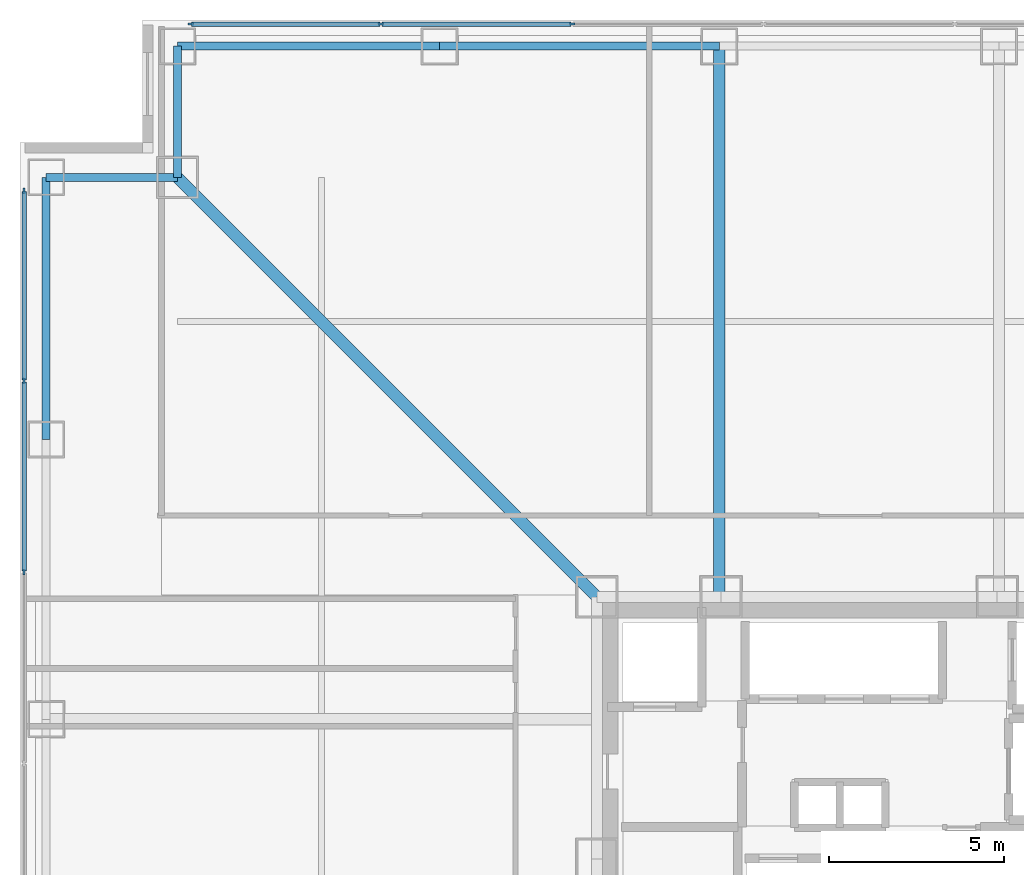
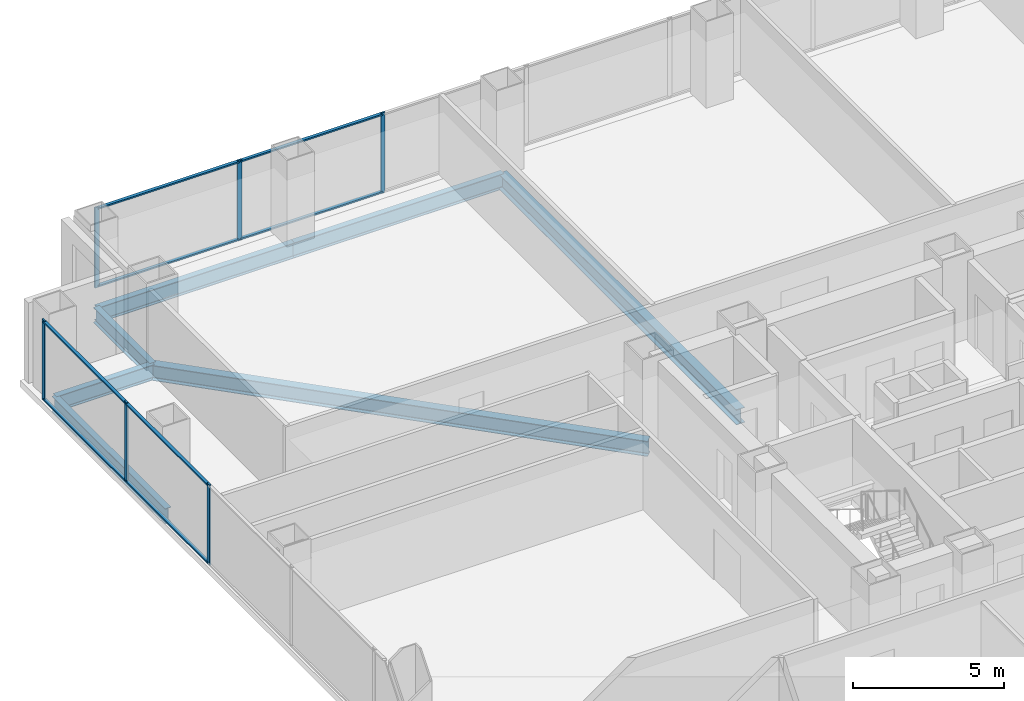
# One storey, part 11 of 19: 14 members, 7 beams, 2 elements without a shape of their own.
"""IFC4 building model written with IfcOpenShell, lengths in metres."""

from ifc_helpers import new_model, si_unit, direction, frame, origin, origin_2d, place, context, subcontext, project, spatial, rectangle, i_section, extrude, material, layer, layer_set, material_profile, profile_set, type_object, element, aggregate, save


model = new_model("IFC4")

# Units and contexts
model_context = context("Model", 3, precision=1e-05, world=origin(), true_north=direction((0.0, 1.0)))
body_context = subcontext(model_context, "Body", "Model", "MODEL_VIEW")
ifc_project = project(units=[si_unit("LENGTHUNIT", "METRE"), si_unit("AREAUNIT", "SQUARE_METRE"), si_unit("VOLUMEUNIT", "CUBIC_METRE"), si_unit("PLANEANGLEUNIT", "RADIAN"), si_unit("MASSUNIT", "GRAM", prefix="KILO")], contexts=[model_context])

# Site, building, storey
site_placement = place(None, origin())
site = spatial("IfcSite", under=ifc_project, at=site_placement, CompositionType="ELEMENT")
building_placement = place(site_placement, origin())
building = spatial("IfcBuilding", under=site, at=building_placement, Name="Trevonay Congress Spire", CompositionType="ELEMENT")
storey_placement = place(building_placement, frame((0.0, 0.0, 41.0)))
storey = spatial("IfcBuildingStorey", under=building, at=storey_placement, Name="L09", CompositionType="ELEMENT", Elevation=41.0)

# Beams
ifc_material_1 = material(Name="Steel ASTM A572 Grade 50", Category="steel")
ifc_material_profile_1 = material_profile(ifc_material_1, i_section(OverallWidth=0.324951171875, OverallDepth=0.615966796875, WebThickness=0.013916015625, FlangeThickness=0.021484375, FilletRadius=0.01806640625, at=origin_2d()), Name="W610x174")
ifc_profile_set_1 = profile_set([ifc_material_profile_1], Name="Steel ASTM A572 Grade 50")
beam_type_1 = type_object("IfcBeamType", Name="BM-GIRD-W610X174", PredefinedType="BEAM", material=ifc_profile_set_1)
beam_1_placement = place(storey_placement, frame((-7.5, 7.5, -0.55810546875), z_axis=(-0.707106781187, 0.707106781187, 0.0), x_axis=(-0.707106781187, -0.707106781187, 0.0)))
element("IfcBeam", 1, at=beam_1_placement, inside=storey, type_object=beam_type_1, Name="L09 structural beam BM-L09-CDNW", PredefinedType="BEAM", context=body_context, shape_type="SweptSolid", body=[
    extrude(i_section(OverallWidth=0.324951171875, OverallDepth=0.615966796875, WebThickness=0.013916015625, FlangeThickness=0.021484375, FilletRadius=0.01806640625, at=origin_2d()), origin(), (0.0, 0.0, 1.0), 16.970458984375),
])
beam_2_placement = place(storey_placement, frame((-4.0, 7.5, -0.55810546875), z_axis=(0.0, 1.0, 0.0), x_axis=(-1.0, 0.0, 0.0)))
element("IfcBeam", 2, at=beam_2_placement, inside=storey, type_object=beam_type_1, Name="L09 structural beam BM-L09-GN-M", PredefinedType="BEAM", context=body_context, shape_type="SweptSolid", body=[
    extrude(i_section(OverallWidth=0.324951171875, OverallDepth=0.615966796875, WebThickness=0.013916015625, FlangeThickness=0.021484375, FilletRadius=0.01806640625, at=origin_2d()), origin(), (0.0, 0.0, 1.0), 15.75),
])
ifc_material_profile_2 = material_profile(ifc_material_1, i_section(OverallWidth=0.22998046875, OverallDepth=0.616943359375, WebThickness=0.01318359375, FlangeThickness=0.022216796875, FilletRadius=0.01611328125, at=origin_2d()), Name="W610x140")
ifc_profile_set_2 = profile_set([ifc_material_profile_2], Name="Steel ASTM A572 Grade 50")
beam_type_2 = type_object("IfcBeamType", Name="BM-RING-W610X140", PredefinedType="BEAM", material=ifc_profile_set_2)
beam_3_placement = place(storey_placement, frame((-19.5, 23.25, -0.55859375), z_axis=(1.0, 0.0, 0.0), x_axis=(0.0, 1.0, 0.0)))
element("IfcBeam", 3, at=beam_3_placement, inside=storey, type_object=beam_type_2, Name="L09 structural beam BM-L09-PN1", PredefinedType="BEAM", context=body_context, shape_type="SweptSolid", body=[
    extrude(i_section(OverallWidth=0.22998046875, OverallDepth=0.616943359375, WebThickness=0.01318359375, FlangeThickness=0.022216796875, FilletRadius=0.01611328125, at=origin_2d()), origin(), (0.0, 0.0, 1.0), 7.5),
])
beam_4_placement = place(storey_placement, frame((-12.0, 23.25, -0.55859375), z_axis=(1.0, 0.0, 0.0), x_axis=(0.0, 1.0, 0.0)))
element("IfcBeam", 4, at=beam_4_placement, inside=storey, type_object=beam_type_2, Name="L09 structural beam BM-L09-PN2", PredefinedType="BEAM", context=body_context, shape_type="SweptSolid", body=[
    extrude(i_section(OverallWidth=0.22998046875, OverallDepth=0.616943359375, WebThickness=0.01318359375, FlangeThickness=0.022216796875, FilletRadius=0.01611328125, at=origin_2d()), origin(), (0.0, 0.0, 1.0), 8.0),
])
beam_5_placement = place(storey_placement, frame((-23.25, 12.0, -0.55859375), z_axis=(0.0, 1.0, 0.0), x_axis=(-1.0, 0.0, 0.0)))
element("IfcBeam", 5, at=beam_5_placement, inside=storey, type_object=beam_type_2, Name="L09 structural beam BM-L09-PW5", PredefinedType="BEAM", context=body_context, shape_type="SweptSolid", body=[
    extrude(i_section(OverallWidth=0.22998046875, OverallDepth=0.616943359375, WebThickness=0.01318359375, FlangeThickness=0.022216796875, FilletRadius=0.01611328125, at=origin_2d()), origin(), (0.0, 0.0, 1.0), 7.5),
])
for number, where, z_axis, x_axis, name in (
    (6, (-19.5, 23.25, -0.55859375), (0.0, -1.0, 0.0), (1.0, 0.0, 0.0), "L09 structural beam BM-L09-N1NW"),
    (7, (-23.25, 19.5, -0.55859375), (1.0, 0.0, 0.0), (0.0, 1.0, 0.0), "L09 structural beam BM-L09-N2NW"),
):
    element("IfcBeam", number, at=place(storey_placement, frame(where, z_axis=z_axis, x_axis=x_axis)), inside=storey, type_object=beam_type_2, Name=name, PredefinedType="BEAM", context=body_context, shape_type="SweptSolid", body=[
        extrude(i_section(OverallWidth=0.22998046875, OverallDepth=0.616943359375, WebThickness=0.01318359375, FlangeThickness=0.022216796875, FilletRadius=0.01611328125, at=origin_2d()), origin(), (0.0, 0.0, 1.0), 3.75),
    ])

# Curtain wall, members
ifc_material_2 = material(Name="Pale Anodised Aluminium EN AW-6063-T6", Category="aluminium")
ifc_layer = layer(ifc_material_2, 0.179931640625, Name="Pale Anodised Aluminium EN AW-6063-T6")
ifc_layer_set = layer_set([ifc_layer], Name="Pale Anodised Aluminium EN AW-6063-T6")
curtain_wall_type = type_object("IfcCurtainWallType", Name="CW-SYS02-HOTEL-PALE-METAL", PredefinedType="NOTDEFINED", material=ifc_layer_set)
curtain_wall_1_placement = place(storey_placement, origin())
curtain_wall_1 = element("IfcCurtainWall", 8, at=curtain_wall_1_placement, inside=storey, type_object=curtain_wall_type, Name="L09 N unitised curtain wall", PredefinedType="NOTDEFINED")
ifc_material_profile_3 = material_profile(ifc_material_2, rectangle(XDim=0.06005859375, YDim=0.159912109375, at=origin_2d()), Name="CW-MULLION-160-ALUMINIUM")
ifc_profile_set_3 = profile_set([ifc_material_profile_3], Name="Pale Anodised Aluminium EN AW-6063-T6")
member_type_1 = type_object("IfcMemberType", Name="CW-MULLION-160-ALUMINIUM", PredefinedType="MULLION", material=ifc_profile_set_3)
member_1_placement = place(storey_placement, frame((-19.1201171875, 23.8798828125, 0.0), z_axis=(0.0, 0.0, 1.0), x_axis=(0.0, 1.0, 0.0)))
member_1 = element("IfcMember", 9, at=member_1_placement, type_object=member_type_1, Name="CW02 mullion 1", PredefinedType="MULLION", context=body_context, shape_type="SweptSolid", body=[
    extrude(rectangle(XDim=0.06005859375, YDim=0.159912109375, at=origin_2d()), origin(), (0.0, 0.0, 1.0), 3.25),
])
member_2_placement = place(storey_placement, frame((-13.678466796875, 23.8798828125, 0.0), z_axis=(0.0, 0.0, 1.0), x_axis=(0.0, 1.0, 0.0)))
member_2 = element("IfcMember", 10, at=member_2_placement, type_object=member_type_1, Name="CW02 mullion 2", PredefinedType="MULLION", context=body_context, shape_type="SweptSolid", body=[
    extrude(rectangle(XDim=0.06005859375, YDim=0.159912109375, at=origin_2d()), origin(), (0.0, 0.0, 1.0), 3.25),
])
member_3_placement = place(storey_placement, frame((-8.20703125, 23.8798828125, 0.0), z_axis=(0.0, 0.0, 1.0), x_axis=(0.0, 1.0, 0.0)))
member_3 = element("IfcMember", 11, at=member_3_placement, type_object=member_type_1, Name="CW02 mullion 3", PredefinedType="MULLION", context=body_context, shape_type="SweptSolid", body=[
    extrude(rectangle(XDim=0.06005859375, YDim=0.159912109375, at=origin_2d()), origin(), (0.0, 0.0, 1.0), 3.25),
])

curtain_wall_2_placement = place(storey_placement, origin())
curtain_wall_2 = element("IfcCurtainWall", 12, at=curtain_wall_2_placement, inside=storey, type_object=curtain_wall_type, Name="L09 W unitised curtain wall", PredefinedType="NOTDEFINED")
member_4_placement = place(storey_placement, frame((-23.8798828125, 8.20703125, 0.0), z_axis=(0.0, 0.0, 1.0), x_axis=(-1.0, 0.0, 0.0)))
member_4 = element("IfcMember", 13, at=member_4_placement, type_object=member_type_1, Name="CW02 mullion 6", PredefinedType="MULLION", context=body_context, shape_type="SweptSolid", body=[
    extrude(rectangle(XDim=0.06005859375, YDim=0.159912109375, at=origin_2d()), origin(), (0.0, 0.0, 1.0), 3.25),
])
member_5_placement = place(storey_placement, frame((-23.8798828125, 13.678466796875, 0.0), z_axis=(0.0, 0.0, 1.0), x_axis=(-1.0, 0.0, 0.0)))
member_5 = element("IfcMember", 14, at=member_5_placement, type_object=member_type_1, Name="CW02 mullion 7", PredefinedType="MULLION", context=body_context, shape_type="SweptSolid", body=[
    extrude(rectangle(XDim=0.06005859375, YDim=0.159912109375, at=origin_2d()), origin(), (0.0, 0.0, 1.0), 3.25),
])
member_6_placement = place(storey_placement, frame((-23.8798828125, 19.1201171875, 0.0), z_axis=(0.0, 0.0, 1.0), x_axis=(-1.0, 0.0, 0.0)))
member_6 = element("IfcMember", 15, at=member_6_placement, type_object=member_type_1, Name="CW02 mullion 8", PredefinedType="MULLION", context=body_context, shape_type="SweptSolid", body=[
    extrude(rectangle(XDim=0.06005859375, YDim=0.159912109375, at=origin_2d()), origin(), (0.0, 0.0, 1.0), 3.25),
])

# Member
ifc_material_profile_4 = material_profile(ifc_material_2, rectangle(XDim=0.1201171875, YDim=0.06005859375, at=origin_2d()), Name="CW-TRANSOM-120-ALUMINIUM")
ifc_profile_set_4 = profile_set([ifc_material_profile_4], Name="Pale Anodised Aluminium EN AW-6063-T6")
member_type_2 = type_object("IfcMemberType", Name="CW-TRANSOM-120-ALUMINIUM", PredefinedType="USERDEFINED", material=ifc_profile_set_4)
member_7_placement = place(storey_placement, frame((-19.090087890625, 23.8798828125, 0.06005859375), z_axis=(1.0, 0.0, 0.0), x_axis=(0.0, 1.0, 0.0)))
member_7 = element("IfcMember", 16, at=member_7_placement, type_object=member_type_2, Name="CW02 transom 1.1", ObjectType="TRANSOM", PredefinedType="USERDEFINED", context=body_context, shape_type="SweptSolid", body=[
    extrude(rectangle(XDim=0.1201171875, YDim=0.06005859375, at=origin_2d()), origin(), (0.0, 0.0, 1.0), 5.381591796875),
])

member_8_placement = place(storey_placement, frame((-19.090087890625, 23.8798828125, 3.18994140625), z_axis=(1.0, 0.0, 0.0), x_axis=(0.0, 1.0, 0.0)))
member_8 = element("IfcMember", 17, at=member_8_placement, type_object=member_type_2, Name="CW02 transom 1.2", ObjectType="TRANSOM", PredefinedType="USERDEFINED", context=body_context, shape_type="SweptSolid", body=[
    extrude(rectangle(XDim=0.1201171875, YDim=0.06005859375, at=origin_2d()), origin(), (0.0, 0.0, 1.0), 5.381591796875),
])

member_9_placement = place(storey_placement, frame((-13.648681640625, 23.8798828125, 0.06005859375), z_axis=(1.0, 0.0, 0.0), x_axis=(0.0, 1.0, 0.0)))
member_9 = element("IfcMember", 18, at=member_9_placement, type_object=member_type_2, Name="CW02 transom 2.1", ObjectType="TRANSOM", PredefinedType="USERDEFINED", context=body_context, shape_type="SweptSolid", body=[
    extrude(rectangle(XDim=0.1201171875, YDim=0.06005859375, at=origin_2d()), origin(), (0.0, 0.0, 1.0), 5.41162109375),
])

member_10_placement = place(storey_placement, frame((-13.648681640625, 23.8798828125, 3.18994140625), z_axis=(1.0, 0.0, 0.0), x_axis=(0.0, 1.0, 0.0)))
member_10 = element("IfcMember", 19, at=member_10_placement, type_object=member_type_2, Name="CW02 transom 2.2", ObjectType="TRANSOM", PredefinedType="USERDEFINED", context=body_context, shape_type="SweptSolid", body=[
    extrude(rectangle(XDim=0.1201171875, YDim=0.06005859375, at=origin_2d()), origin(), (0.0, 0.0, 1.0), 5.41162109375),
])

aggregate(curtain_wall_1, [member_1, member_2, member_3, member_7, member_8, member_9, member_10])

member_11_placement = place(storey_placement, frame((-23.8798828125, 8.237060546875, 0.06005859375), z_axis=(0.0, 1.0, 0.0), x_axis=(-1.0, 0.0, 0.0)))
member_11 = element("IfcMember", 20, at=member_11_placement, type_object=member_type_2, Name="CW02 transom 6.1", ObjectType="TRANSOM", PredefinedType="USERDEFINED", context=body_context, shape_type="SweptSolid", body=[
    extrude(rectangle(XDim=0.1201171875, YDim=0.06005859375, at=origin_2d()), origin(), (0.0, 0.0, 1.0), 5.41162109375),
])

member_12_placement = place(storey_placement, frame((-23.8798828125, 8.237060546875, 3.18994140625), z_axis=(0.0, 1.0, 0.0), x_axis=(-1.0, 0.0, 0.0)))
member_12 = element("IfcMember", 21, at=member_12_placement, type_object=member_type_2, Name="CW02 transom 6.2", ObjectType="TRANSOM", PredefinedType="USERDEFINED", context=body_context, shape_type="SweptSolid", body=[
    extrude(rectangle(XDim=0.1201171875, YDim=0.06005859375, at=origin_2d()), origin(), (0.0, 0.0, 1.0), 5.41162109375),
])

member_13_placement = place(storey_placement, frame((-23.8798828125, 13.70849609375, 0.06005859375), z_axis=(0.0, 1.0, 0.0), x_axis=(-1.0, 0.0, 0.0)))
member_13 = element("IfcMember", 22, at=member_13_placement, type_object=member_type_2, Name="CW02 transom 7.1", ObjectType="TRANSOM", PredefinedType="USERDEFINED", context=body_context, shape_type="SweptSolid", body=[
    extrude(rectangle(XDim=0.1201171875, YDim=0.06005859375, at=origin_2d()), origin(), (0.0, 0.0, 1.0), 5.381591796875),
])

member_14_placement = place(storey_placement, frame((-23.8798828125, 13.70849609375, 3.18994140625), z_axis=(0.0, 1.0, 0.0), x_axis=(-1.0, 0.0, 0.0)))
member_14 = element("IfcMember", 23, at=member_14_placement, type_object=member_type_2, Name="CW02 transom 7.2", ObjectType="TRANSOM", PredefinedType="USERDEFINED", context=body_context, shape_type="SweptSolid", body=[
    extrude(rectangle(XDim=0.1201171875, YDim=0.06005859375, at=origin_2d()), origin(), (0.0, 0.0, 1.0), 5.381591796875),
])

aggregate(curtain_wall_2, [member_4, member_5, member_6, member_11, member_12, member_13, member_14])

save(model, "model.ifc")
